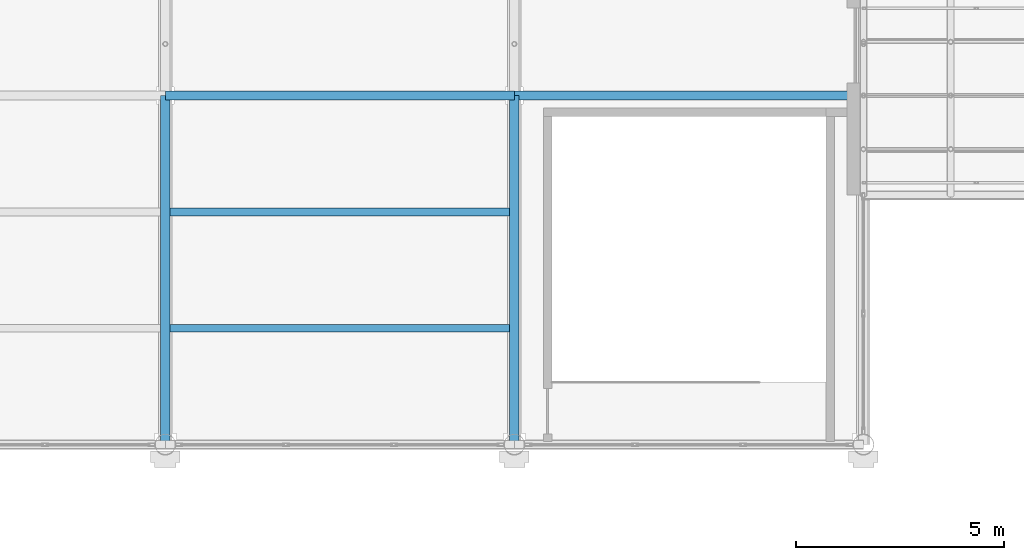
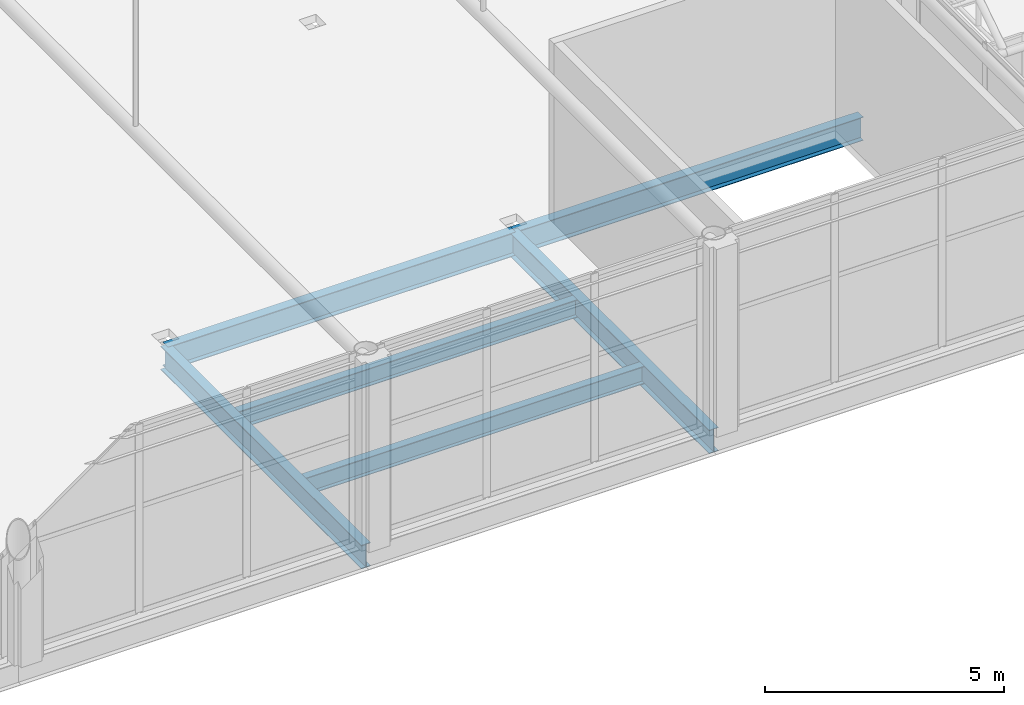
# One storey, part 31 of 167: 6 beams.
"""IFC4 building model written with IfcOpenShell, lengths in metres."""

from ifc_helpers import new_model, si_unit, direction, frame, origin, origin_2d, place, context, subcontext, project, spatial, i_section, extrude, material, material_profile, profile_set, type_object, element, save


model = new_model("IFC4")

# Units and contexts
model_context = context("Model", 3, precision=1e-05, world=origin(), true_north=direction((0.0, 1.0)))
body_context = subcontext(model_context, "Body", "Model", "MODEL_VIEW")
ifc_project = project(units=[si_unit("LENGTHUNIT", "METRE"), si_unit("AREAUNIT", "SQUARE_METRE"), si_unit("VOLUMEUNIT", "CUBIC_METRE"), si_unit("PLANEANGLEUNIT", "RADIAN"), si_unit("MASSUNIT", "GRAM", prefix="KILO")], contexts=[model_context])

# Site, building, storey
site_placement = place(None, origin())
site = spatial("IfcSite", under=ifc_project, at=site_placement, CompositionType="ELEMENT")
building_placement = place(site_placement, origin())
building = spatial("IfcBuilding", under=site, at=building_placement, Name="Catenary Quay Ferry Terminal", CompositionType="ELEMENT")
storey_placement = place(building_placement, frame((0.0, 0.0, 6.0)))
storey = spatial("IfcBuildingStorey", under=building, at=storey_placement, Name="L01", CompositionType="ELEMENT", Elevation=6.0)

# Beams
ifc_material_1 = material(Name="Steel S355", Category="steel")
ifc_material_profile_1 = material_profile(ifc_material_1, i_section(OverallWidth=0.2275390625, OverallDepth=0.6025390625, WebThickness=0.010498046875, FlangeThickness=0.014892578125, at=origin_2d()), Name="UB 610x229x101")
ifc_profile_set_1 = profile_set([ifc_material_profile_1], Name="Steel S355")
beam_type_1 = type_object("IfcBeamType", Name="B3 UB 610x229x101", PredefinedType="BEAM", material=ifc_profile_set_1)
for number, where, z_axis, x_axis, name in (
    (1, (75.60009765625, 75.60009765625, -0.5009765625), (1.0, 0.0, 0.0), (0.0, 1.0, 0.0), "Beam B3-007"),
    (2, (84.0, 75.60009765625, -0.5009765625), (1.0, 0.0, 0.0), (0.0, 1.0, 0.0), "Beam B3-008"),
):
    element("IfcBeam", number, at=place(storey_placement, frame(where, z_axis=z_axis, x_axis=x_axis)), inside=storey, type_object=beam_type_1, Name=name, PredefinedType="BEAM", context=body_context, shape_type="SweptSolid", body=[
        extrude(i_section(OverallWidth=0.2275390625, OverallDepth=0.6025390625, WebThickness=0.010498046875, FlangeThickness=0.014892578125, at=origin_2d()), origin(), (0.0, 0.0, 1.0), 8.39990234375),
    ])
for number, where, z_axis, x_axis, name in (
    (3, (75.60009765625, 67.199951171875, -0.5009765625), (0.0, 1.0, 0.0), (-1.0, 0.0, 0.0), "Beam B3-035"),
    (4, (84.0, 67.199951171875, -0.5009765625), (0.0, 1.0, 0.0), (-1.0, 0.0, 0.0), "Beam B3-040"),
):
    element("IfcBeam", number, at=place(storey_placement, frame(where, z_axis=z_axis, x_axis=x_axis)), inside=storey, type_object=beam_type_1, Name=name, PredefinedType="BEAM", context=body_context, shape_type="SweptSolid", body=[
        extrude(i_section(OverallWidth=0.2275390625, OverallDepth=0.6025390625, WebThickness=0.010498046875, FlangeThickness=0.014892578125, at=origin_2d()), origin(), (0.0, 0.0, 1.0), 8.400146484375),
    ])
ifc_material_2 = material(Name="Steel S355", Category="steel")
ifc_material_profile_2 = material_profile(ifc_material_2, i_section(OverallWidth=0.18994140625, OverallDepth=0.449951171875, WebThickness=0.009521484375, FlangeThickness=0.0146484375, at=origin_2d()), Name="IPE 450")
ifc_profile_set_2 = profile_set([ifc_material_profile_2], Name="Steel S355")
beam_type_2 = type_object("IfcBeamType", Name="B4 IPE 450", PredefinedType="BEAM", material=ifc_profile_set_2)
for number, where, z_axis, x_axis, name in (
    (5, (75.714111328125, 70.0, -0.425048828125), (1.0, 0.0, 0.0), (0.0, 1.0, 0.0), "Beam B4-002"),
    (6, (75.714111328125, 72.800048828125, -0.425048828125), (1.0, 0.0, 0.0), (0.0, 1.0, 0.0), "Beam B4-004"),
):
    element("IfcBeam", number, at=place(storey_placement, frame(where, z_axis=z_axis, x_axis=x_axis)), inside=storey, type_object=beam_type_2, Name=name, PredefinedType="BEAM", context=body_context, shape_type="SweptSolid", body=[
        extrude(i_section(OverallWidth=0.18994140625, OverallDepth=0.449951171875, WebThickness=0.009521484375, FlangeThickness=0.0146484375, at=origin_2d()), origin(), (0.0, 0.0, 1.0), 8.171875),
    ])

save(model, "model.ifc")
